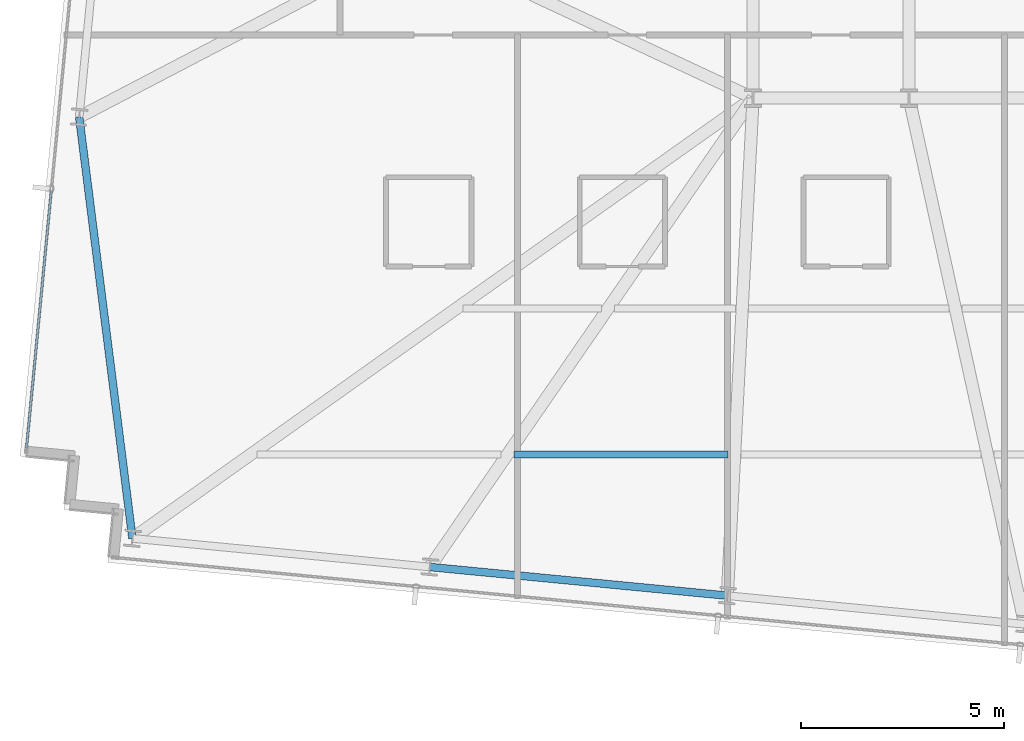
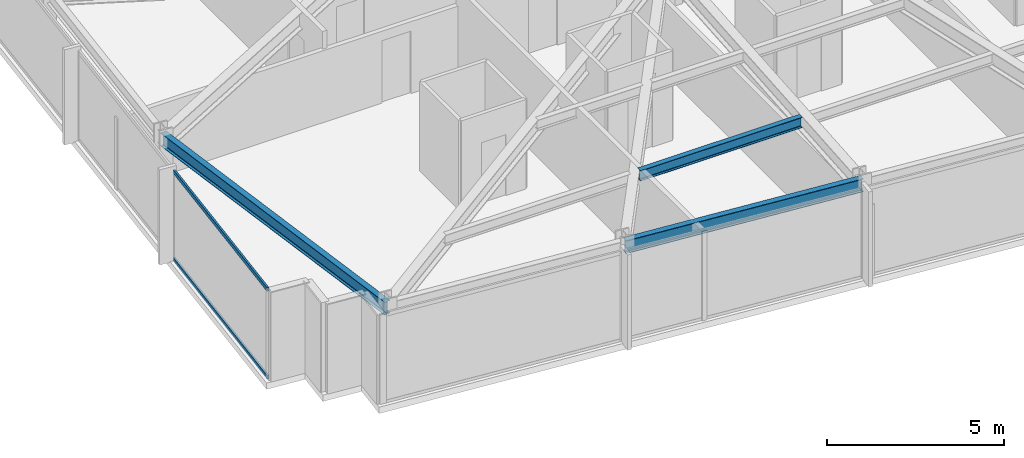
# One storey, part 3 of 37: 3 beams, 2 members, 1 element without a shape of its own.
"""IFC4 building model written with IfcOpenShell, lengths in metres."""

from ifc_helpers import new_model, si_unit, direction, frame, origin, origin_2d, place, context, subcontext, project, spatial, hollow_rectangle, i_section, extrude, material, material_profile, profile_set, type_object, element, aggregate, save


model = new_model("IFC4")

# Units and contexts
model_context = context("Model", 3, precision=1e-05, world=origin(), true_north=direction((0.0, 1.0)))
body_context = subcontext(model_context, "Body", "Model", "MODEL_VIEW")
ifc_project = project(units=[si_unit("LENGTHUNIT", "METRE"), si_unit("AREAUNIT", "SQUARE_METRE"), si_unit("VOLUMEUNIT", "CUBIC_METRE"), si_unit("PLANEANGLEUNIT", "RADIAN"), si_unit("MASSUNIT", "GRAM", prefix="KILO")], contexts=[model_context])

# Site, building, storey
site_placement = place(None, origin())
site = spatial("IfcSite", under=ifc_project, at=site_placement, CompositionType="ELEMENT")
building_placement = place(site_placement, origin())
building = spatial("IfcBuilding", under=site, at=building_placement, Name="Yelkora Congress Tower", CompositionType="ELEMENT")
storey_placement = place(building_placement, frame((0.0, 0.0, 175.39990234375)))
storey = spatial("IfcBuildingStorey", under=building, at=storey_placement, Name="L48", CompositionType="ELEMENT", Elevation=175.39990234375)

# Beams
ifc_material_1 = material(Name="Steel S355J2", Category="steel")
ifc_material_profile_1 = material_profile(ifc_material_1, i_section(OverallWidth=0.169921875, OverallDepth=0.360107421875, WebThickness=0.008056640625, FlangeThickness=0.0126953125, FilletRadius=0.01806640625, at=origin_2d()), Name="IPE 360")
ifc_profile_set_1 = profile_set([ifc_material_profile_1], Name="Steel S355J2")
beam_type_1 = type_object("IfcBeamType", Name="BM-JOIST-IPE360", PredefinedType="JOIST", material=ifc_profile_set_1)
beam_1_placement = place(storey_placement, frame((13.310546875, 16.421142578125, 2.900146484375), z_axis=(1.0, 0.0, 0.0), x_axis=(0.0, 1.0, 0.0)))
element("IfcBeam", 1, at=beam_1_placement, inside=storey, type_object=beam_type_1, Name="L48 Composite Floor Joist 6", PredefinedType="JOIST", context=body_context, shape_type="SweptSolid", body=[
    extrude(i_section(OverallWidth=0.169921875, OverallDepth=0.360107421875, WebThickness=0.008056640625, FlangeThickness=0.0126953125, FilletRadius=0.01806640625, at=origin_2d()), origin(), (0.0, 0.0, 1.0), 5.275146484375),
])
ifc_material_profile_2 = material_profile(ifc_material_1, i_section(OverallWidth=0.18994140625, OverallDepth=0.449951171875, WebThickness=0.009521484375, FlangeThickness=0.0146484375, FilletRadius=0.02099609375, at=origin_2d()), Name="IPE 450")
ifc_profile_set_2 = profile_set([ifc_material_profile_2], Name="Steel S355J2")
beam_type_2 = type_object("IfcBeamType", Name="BM-SPAN-IPE450", PredefinedType="SPANDREL", material=ifc_profile_set_2)
beam_2_placement = place(storey_placement, frame((2.607421875, 24.730712890625, 2.85498046875), z_axis=(0.125457133578, -0.992099041243, 0.0), x_axis=(0.992099041243, 0.125457133578, 0.0)))
element("IfcBeam", 2, at=beam_2_placement, inside=storey, type_object=beam_type_2, Name="L48 Perimeter Beam 1", PredefinedType="SPANDREL", context=body_context, shape_type="SweptSolid", body=[
    extrude(i_section(OverallWidth=0.18994140625, OverallDepth=0.449951171875, WebThickness=0.009521484375, FlangeThickness=0.0146484375, FilletRadius=0.02099609375, at=origin_2d()), origin(), (0.0, 0.0, 1.0), 10.455810546875),
])
beam_3_placement = place(storey_placement, frame((11.242431640625, 13.652099609375, 2.85498046875), z_axis=(0.995397409467, -0.095833173935, 0.0), x_axis=(0.095833173935, 0.995397409467, 0.0)))
element("IfcBeam", 3, at=beam_3_placement, inside=storey, type_object=beam_type_2, Name="L48 Perimeter Beam 3", PredefinedType="SPANDREL", context=body_context, shape_type="SweptSolid", body=[
    extrude(i_section(OverallWidth=0.18994140625, OverallDepth=0.449951171875, WebThickness=0.009521484375, FlangeThickness=0.0146484375, FilletRadius=0.02099609375, at=origin_2d()), origin(), (0.0, 0.0, 1.0), 7.357421875),
])

# Curtain wall, members
ifc_material_2 = material(Name="Anodised aluminium and insulated glass", Category="aluminium")
curtain_wall_type = type_object("IfcCurtainWallType", Name="CW-SYS-B3", PredefinedType="NOTDEFINED", material=ifc_material_2)
curtain_wall_placement = place(storey_placement, origin())
curtain_wall = element("IfcCurtainWall", 4, at=curtain_wall_placement, inside=storey, type_object=curtain_wall_type, Name="L48 Unitised Curtain Wall 5", PredefinedType="NOTDEFINED")
ifc_material_3 = material(Name="Anodised aluminium 6063-T6", Category="aluminium")
ifc_material_profile_3 = material_profile(ifc_material_3, hollow_rectangle(XDim=0.06005859375, YDim=0.1298828125, WallThickness=0.00390625, at=origin_2d()), Name="ALU 60x130x4")
ifc_profile_set_3 = profile_set([ifc_material_profile_3], Name="Anodised aluminium 6063-T6")
member_type = type_object("IfcMemberType", Name="MEM-TR-B3", PredefinedType="USERDEFINED", material=ifc_profile_set_3)
member_1_placement = place(storey_placement, frame((1.31005859375, 16.57763671875, 0.030029296875), z_axis=(0.095834923543, 0.99539724102, 0.0), x_axis=(-0.99539724102, 0.095834923543, 0.0)))
member_1 = element("IfcMember", 5, at=member_1_placement, type_object=member_type, Name="CW-B3 transom 1.1", ObjectType="TRANSOM", PredefinedType="USERDEFINED", context=body_context, shape_type="SweptSolid", body=[
    extrude(hollow_rectangle(XDim=0.06005859375, YDim=0.1298828125, WallThickness=0.00390625, at=origin_2d()), origin(), (0.0, 0.0, 1.0), 6.37890625),
])
member_2_placement = place(storey_placement, frame((1.31005859375, 16.57763671875, 3.050048828125), z_axis=(0.095834923543, 0.99539724102, 0.0), x_axis=(-0.99539724102, 0.095834923543, 0.0)))
member_2 = element("IfcMember", 6, at=member_2_placement, type_object=member_type, Name="CW-B3 transom 1.2", ObjectType="TRANSOM", PredefinedType="USERDEFINED", context=body_context, shape_type="SweptSolid", body=[
    extrude(hollow_rectangle(XDim=0.06005859375, YDim=0.1298828125, WallThickness=0.00390625, at=origin_2d()), origin(), (0.0, 0.0, 1.0), 6.37890625),
])
aggregate(curtain_wall, [member_1, member_2])

save(model, "model.ifc")
